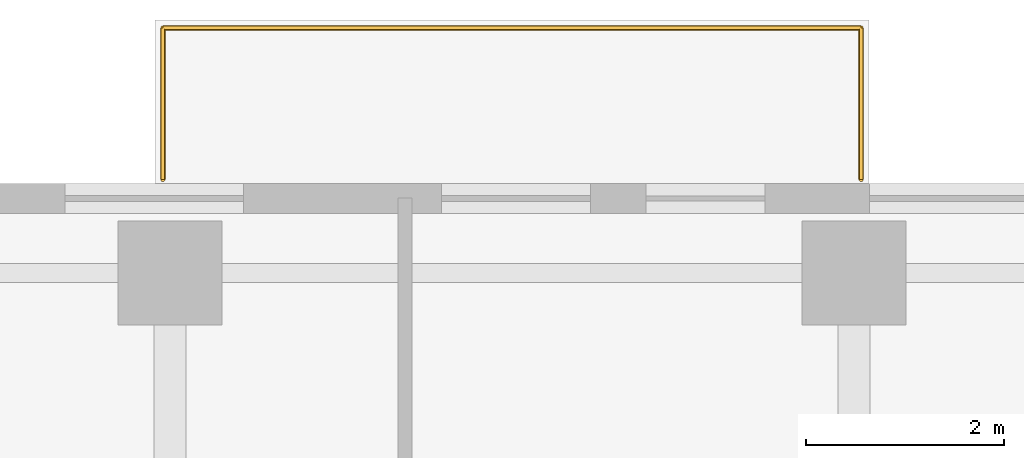
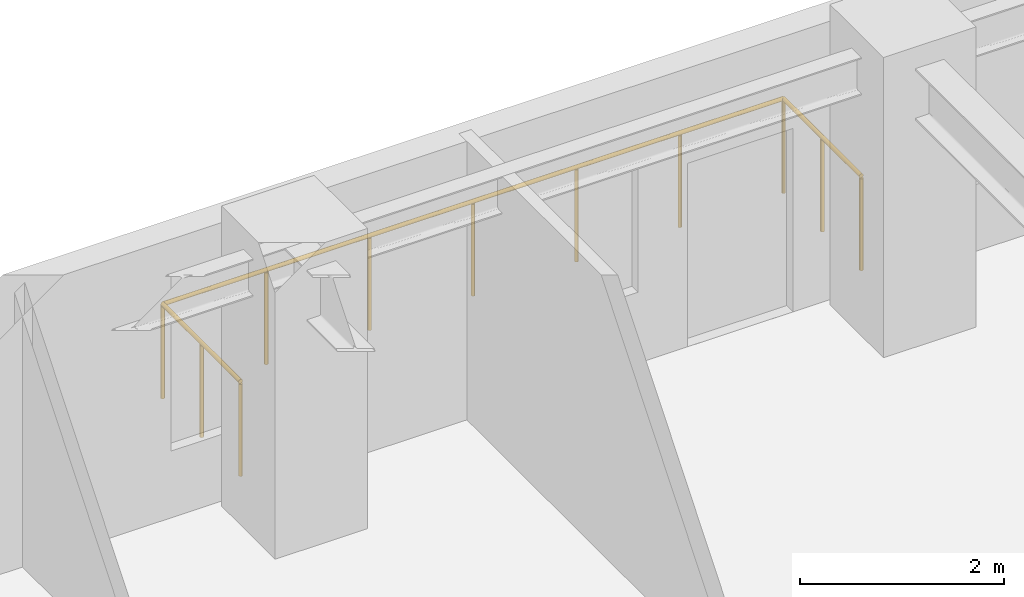
# One storey, part 13 of 13: 1 railing.
"""IFC4 building model written with IfcOpenShell, lengths in metres."""

import ifcopenshell
import ifcopenshell.guid

model = None  # the IFC model being written
_history = None  # IfcOwnerHistory: only IFC2X3 demands one
_inside = {}  # id of a spatial element -> (the spatial element, [elements in it])
_under = {}  # id of a project, library or spatial element -> (it, [spatial elements below it])
_declared = {}  # id of a project -> (the project, [libraries it declares])
_typed = {}  # id of a type object -> (the type object, [elements of that type])
_made_of = {}  # id of a material, layer set ... -> (it, [elements and type objects made of it])


def new_model(schema):
    """Start an empty IFC model of exactly this schema.

    Asked for "IFC4X3", IfcOpenShell would pick the latest addendum, in which some entities
    have other attributes; the version numbers below select the first issue.
    IFC2X3 requires an IfcOwnerHistory on every rooted entity: one is made here for all.
    """
    global model, _history
    if schema == "IFC4X3":
        model = ifcopenshell.file(schema_version=(4, 3, 0, 0))
    else:
        model = ifcopenshell.file(schema=schema)
    _inside.clear()
    _under.clear()
    _declared.clear()
    _typed.clear()
    _made_of.clear()
    _history = None
    if model.schema == "IFC2X3":
        org = make("IfcOrganization", Name="unknown")
        user = make(
            "IfcPersonAndOrganization",
            ThePerson=make("IfcPerson", FamilyName="unknown"),
            TheOrganization=org,
        )
        app = make(
            "IfcApplication",
            ApplicationDeveloper=org,
            Version="unknown",
            ApplicationFullName="unknown",
            ApplicationIdentifier="unknown",
        )
        _history = make(
            "IfcOwnerHistory",
            OwningUser=user,
            OwningApplication=app,
            ChangeAction="ADDED",
            CreationDate=0,
        )
    return model


def make(cls, **values):
    """One entity of the class cls with the attributes given. An attribute that is None is left unset."""
    return model.create_entity(
        cls, **{name: value for name, value in values.items() if value is not None}
    )


def rooted(cls, **values):
    """An entity with a GlobalId (a new one), such as an element, a storey or a relation."""
    return make(cls, GlobalId=ifcopenshell.guid.new(), OwnerHistory=_history, **values)


def si_unit(unit_type, name, prefix=None):
    """IfcSIUnit, for example si_unit("LENGTHUNIT", "METRE", prefix="MILLI")."""
    return make("IfcSIUnit", UnitType=unit_type, Prefix=prefix, Name=name)


def assignment(units):
    """IfcUnitAssignment: the units of a project."""
    return None if units is None else make("IfcUnitAssignment", Units=units)


def point(xyz):
    """IfcCartesianPoint."""
    return None if xyz is None else make("IfcCartesianPoint", Coordinates=xyz)


def direction(xyz):
    """IfcDirection."""
    return None if xyz is None else make("IfcDirection", DirectionRatios=xyz)


def frame(location, z_axis=None, x_axis=None):
    """IfcAxis2Placement3D, a coordinate frame: its origin and axes. An axis left out is left unset."""
    return make(
        "IfcAxis2Placement3D",
        Location=point(location),
        Axis=direction(z_axis),
        RefDirection=direction(x_axis),
    )


def frame_2d(location, x_axis=None):
    """IfcAxis2Placement2D, a coordinate frame in the plane: its origin and x axis."""
    return make(
        "IfcAxis2Placement2D", Location=point(location), RefDirection=direction(x_axis)
    )


def origin():
    """The frame at (0, 0, 0) with its axes left unset."""
    return frame((0.0, 0.0, 0.0))


def origin_2d():
    """The frame at (0, 0) in the plane with its x axis left unset."""
    return frame_2d((0.0, 0.0))


def place(relative_to, where):
    """IfcLocalPlacement: puts the frame where relative to a parent placement (None: the world)."""
    return make(
        "IfcLocalPlacement", PlacementRelTo=relative_to, RelativePlacement=where
    )


def context(
    kind, dimensions, precision=None, world=None, true_north=None, identifier=None
):
    """IfcGeometricRepresentationContext, for example the 3D "Model" context."""
    return make(
        "IfcGeometricRepresentationContext",
        ContextIdentifier=identifier,
        ContextType=kind,
        CoordinateSpaceDimension=dimensions,
        Precision=precision,
        WorldCoordinateSystem=world,
        TrueNorth=true_north,
    )


def subcontext(parent, identifier, kind, view, scale=None):
    """IfcGeometricRepresentationSubContext, for example "Body" below "Model"."""
    return make(
        "IfcGeometricRepresentationSubContext",
        ContextIdentifier=identifier,
        ContextType=kind,
        ParentContext=parent,
        TargetScale=scale,
        TargetView=view,
    )


def project(units=None, contexts=None):
    """IfcProject with its units and contexts."""
    return rooted(
        "IfcProject",
        Name="project",
        RepresentationContexts=contexts,
        UnitsInContext=assignment(units),
    )


def spatial(cls, under=None, at=None, **own):
    """A site, building, storey or space (cls), placed at a placement, below another one or the project."""
    s = rooted(cls, ObjectPlacement=at, **own)
    if under is not None:
        _under.setdefault(under.id(), (under, []))[1].append(s)
    return s


def profile(cls, at=None, kind="AREA", **sizes):
    """A parametric profile (cls). Its sizes go by their IFC names, for example OverallWidth=200.0."""
    return make(cls, ProfileType=kind, Position=at, **sizes)


def circle(**sizes):
    """IfcCircleProfileDef."""
    return profile("IfcCircleProfileDef", **sizes)


def extrude(swept, where, along, depth):
    """IfcExtrudedAreaSolid: the profile swept, set in the frame where, extruded along a direction by depth."""
    return make(
        "IfcExtrudedAreaSolid",
        SweptArea=swept,
        Position=where,
        ExtrudedDirection=direction(along),
        Depth=depth,
    )


def shape(context_of_items, identifier, shape_type, items):
    """IfcShapeRepresentation: the items that make up one representation, for example the "Body"."""
    return make(
        "IfcShapeRepresentation",
        ContextOfItems=context_of_items,
        RepresentationIdentifier=identifier,
        RepresentationType=shape_type,
        Items=items,
    )


def material(Name=None, Category=None):
    """IfcMaterial."""
    return make("IfcMaterial", Name=Name, Category=Category)


def made_of(thing, what):
    """Note that an element or type object is made of a material, layer set ...; save() writes the relation."""
    if what is not None:
        _made_of.setdefault(what.id(), (what, []))[1].append(thing)
    return thing


def type_object(cls, material=None, **own):
    """A type object (cls), such as IfcWallType, which elements share."""
    return made_of(rooted(cls, **own), material)


def element(
    cls,
    number,
    at=None,
    inside=None,
    cuts=None,
    type_object=None,
    material=None,
    context=None,
    identifier="Body",
    shape_type=None,
    held_by="IfcProductDefinitionShape",
    body=None,
    shapes=None,
    **own,
):
    """One element of the class cls, such as IfcWall. Its Tag is "e" and its number.

    at: its placement. inside: the storey or other place that contains it. cuts: it is an
    opening in that element (IfcRelVoidsElement). A single representation is given by context,
    identifier, shape_type and body (its items); several are given by shapes. held_by: the class
    of the entity that holds the representations. save() writes the other relations.
    """
    e = rooted(cls, Tag="e%d" % number, ObjectPlacement=at, **own)
    if body is not None:
        shapes = [shape(context, identifier, shape_type, body)]
    if shapes is not None:
        e.Representation = make(held_by, Representations=shapes)
    if inside is not None:
        _inside.setdefault(inside.id(), (inside, []))[1].append(e)
    if cuts is not None:
        rooted(
            "IfcRelVoidsElement", RelatingBuildingElement=cuts, RelatedOpeningElement=e
        )
    if type_object is not None:
        _typed.setdefault(type_object.id(), (type_object, []))[1].append(e)
    return made_of(e, material)


def aggregate(whole, parts):
    """IfcRelAggregates: a whole, such as a stair, and the parts it consists of."""
    return rooted("IfcRelAggregates", RelatingObject=whole, RelatedObjects=parts)


def save(model, path):
    """Write the relations noted so far, then the file.

    IfcRelAggregates (storeys below a building ...), IfcRelContainedInSpatialStructure (elements
    in a storey), IfcRelDefinesByType, IfcRelAssociatesMaterial and IfcRelDeclares: one each for
    every whole, place, type object, material and project.
    """
    for whole, parts in _under.values():
        aggregate(whole, parts)
    for where, things in _inside.values():
        rooted(
            "IfcRelContainedInSpatialStructure",
            RelatedElements=things,
            RelatingStructure=where,
        )
    for kind, things in _typed.values():
        rooted("IfcRelDefinesByType", RelatedObjects=things, RelatingType=kind)
    for what, things in _made_of.values():
        rooted("IfcRelAssociatesMaterial", RelatedObjects=things, RelatingMaterial=what)
    for by, libraries in _declared.values():
        rooted("IfcRelDeclares", RelatingContext=by, RelatedDefinitions=libraries)
    model.write(path)


model = new_model("IFC4")

# Units and contexts
model_context = context("Model", 3, precision=1e-05, world=origin(), true_north=direction((0.0, 1.0)))
body_context = subcontext(model_context, "Body", "Model", "MODEL_VIEW")
ifc_project = project(units=[si_unit("LENGTHUNIT", "METRE"), si_unit("AREAUNIT", "SQUARE_METRE"), si_unit("VOLUMEUNIT", "CUBIC_METRE"), si_unit("PLANEANGLEUNIT", "RADIAN"), si_unit("MASSUNIT", "GRAM", prefix="KILO")], contexts=[model_context])

# Site, building, storey
site_placement = place(None, origin())
site = spatial("IfcSite", under=ifc_project, at=site_placement, CompositionType="ELEMENT")
building_placement = place(site_placement, origin())
building = spatial("IfcBuilding", under=site, at=building_placement, Name="Khoralis Quay Care Tower", CompositionType="ELEMENT")
storey_placement = place(building_placement, frame((0.0, 0.0, 87.300048828125)))
storey = spatial("IfcBuildingStorey", under=building, at=storey_placement, Name="L22", CompositionType="ELEMENT", Elevation=87.300048828125)

# Railing
ifc_material = material(Name="Pale anodised aluminium", Category="aluminium")
railing_type = type_object("IfcRailingType", Name="RL-BALUST-1150", PredefinedType="BALUSTRADE", material=ifc_material)
railing_placement = place(storey_placement, frame((17.030029296875, 45.0400390625, -0.0400390625)))
element("IfcRailing", 1, at=railing_placement, inside=storey, type_object=railing_type, Name="L22 Senior Loggia Balcony Guard", PredefinedType="BALUSTRADE", context=body_context, shape_type="SweptSolid", body=[
    extrude(circle(Radius=0.02392578125, at=origin_2d()), frame((0.0, 0.0, 1.1259765625), z_axis=(0.0, 1.0, 0.0), x_axis=(-1.0, 0.0, 0.0)), (0.0, 0.0, 1.0), 1.530029296875),
    extrude(circle(Radius=0.02392578125, at=origin_2d()), frame((0.0, 1.530029296875, 1.1259765625), z_axis=(1.0, 0.0, 0.0), x_axis=(0.0, 1.0, 0.0)), (0.0, 0.0, 1.0), 7.0400390625),
    extrude(circle(Radius=0.02392578125, at=origin_2d()), frame((7.0400390625, 1.530029296875, 1.1259765625), z_axis=(0.0, -1.0, 0.0), x_axis=(1.0, 0.0, 0.0)), (0.0, 0.0, 1.0), 1.530029296875),
    extrude(circle(Radius=0.02099609375, at=origin_2d()), origin(), (0.0, 0.0, 1.0), 1.101806640625),
    extrude(circle(Radius=0.02099609375, at=origin_2d()), frame((0.0, 0.76513671875, 0.0)), (0.0, 0.0, 1.0), 1.101806640625),
    extrude(circle(Radius=0.02099609375, at=origin_2d()), frame((0.0, 1.530029296875, 0.0)), (0.0, 0.0, 1.0), 1.101806640625),
    extrude(circle(Radius=0.02099609375, at=origin_2d()), frame((1.17333984375, 1.530029296875, 0.0)), (0.0, 0.0, 1.0), 1.101806640625),
    extrude(circle(Radius=0.02099609375, at=origin_2d()), frame((2.3466796875, 1.530029296875, 0.0)), (0.0, 0.0, 1.0), 1.101806640625),
    extrude(circle(Radius=0.02099609375, at=origin_2d()), frame((3.52001953125, 1.530029296875, 0.0)), (0.0, 0.0, 1.0), 1.101806640625),
    extrude(circle(Radius=0.02099609375, at=origin_2d()), frame((4.693359375, 1.530029296875, 0.0)), (0.0, 0.0, 1.0), 1.101806640625),
    extrude(circle(Radius=0.02099609375, at=origin_2d()), frame((5.86669921875, 1.530029296875, 0.0)), (0.0, 0.0, 1.0), 1.101806640625),
    extrude(circle(Radius=0.02099609375, at=origin_2d()), frame((7.0400390625, 1.530029296875, 0.0)), (0.0, 0.0, 1.0), 1.101806640625),
    extrude(circle(Radius=0.02099609375, at=origin_2d()), frame((7.0400390625, 0.76513671875, 0.0)), (0.0, 0.0, 1.0), 1.101806640625),
    extrude(circle(Radius=0.02099609375, at=origin_2d()), frame((7.0400390625, 0.0, 0.0)), (0.0, 0.0, 1.0), 1.101806640625),
])

save(model, "model.ifc")
